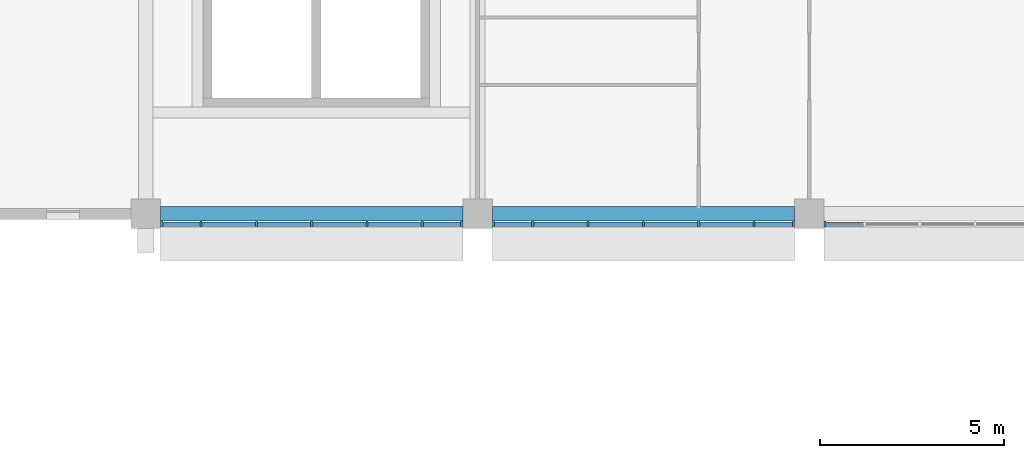
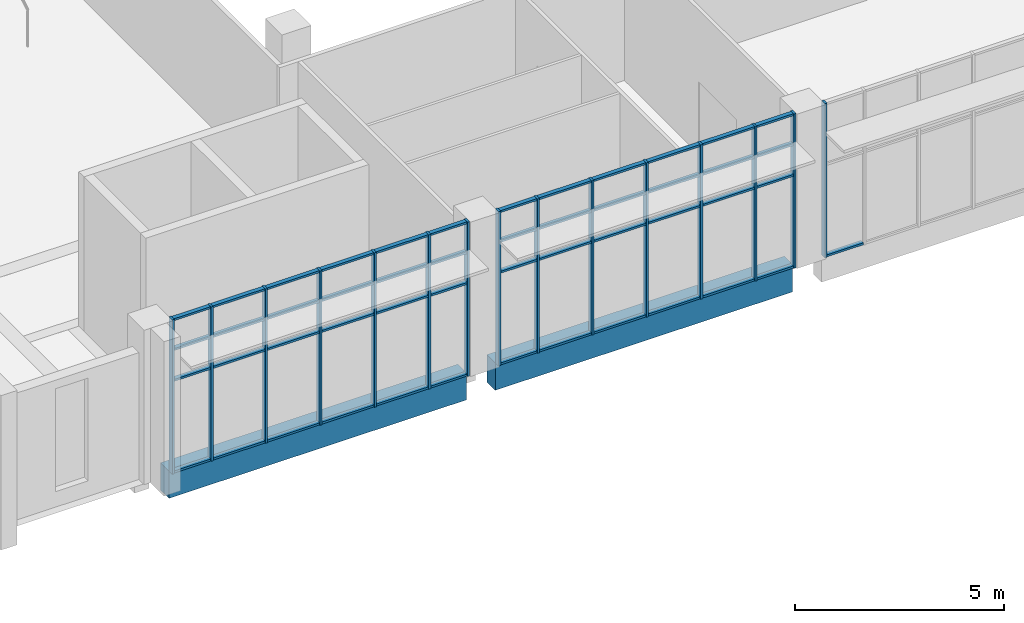
# One storey, part 2 of 79: 64 members, 2 beams, 3 elements without a shape of their own.
"""IFC4 building model written with IfcOpenShell, lengths in metres."""

from ifc_helpers import new_model, si_unit, direction, frame, origin, origin_2d, place, context, subcontext, project, spatial, rectangle, extrude, material, layer, layer_set, material_profile, profile_set, type_object, element, aggregate, save


model = new_model("IFC4")

# Units and contexts
model_context = context("Model", 3, precision=1e-05, world=origin(), true_north=direction((0.0, 1.0)))
body_context = subcontext(model_context, "Body", "Model", "MODEL_VIEW")
ifc_project = project(units=[si_unit("LENGTHUNIT", "METRE"), si_unit("AREAUNIT", "SQUARE_METRE"), si_unit("VOLUMEUNIT", "CUBIC_METRE"), si_unit("PLANEANGLEUNIT", "RADIAN"), si_unit("MASSUNIT", "GRAM", prefix="KILO")], contexts=[model_context])

# Site, building, storey
site_placement = place(None, origin())
site = spatial("IfcSite", under=ifc_project, at=site_placement, CompositionType="ELEMENT")
building_placement = place(site_placement, origin())
building = spatial("IfcBuilding", under=site, at=building_placement, Name="Guidao Yard Department Store", CompositionType="ELEMENT")
storey_placement = place(building_placement, frame((0.0, 0.0, 15.0)))
storey = spatial("IfcBuildingStorey", under=building, at=storey_placement, Name="L03", CompositionType="ELEMENT", Elevation=15.0)

# Curtain wall, members
ifc_material_1 = material(Name="Aluminium and glass", Category="aluminium")
ifc_layer = layer(ifc_material_1, 0.159912109375)
ifc_layer_set = layer_set([ifc_layer], Name="Hall front curtain wall CW2 1500 module")
curtain_wall_type = type_object("IfcCurtainWallType", Name="Hall front curtain wall CW2 1500 module", PredefinedType="NOTDEFINED", material=ifc_layer_set)
curtain_wall_1_placement = place(storey_placement, origin())
curtain_wall_1 = element("IfcCurtainWall", 1, at=curtain_wall_1_placement, inside=storey, type_object=curtain_wall_type, Name="Hall front curtain wall", PredefinedType="NOTDEFINED")
ifc_material_2 = material(Name="Aluminium 6063-T5", Category="aluminium")
ifc_material_profile_1 = material_profile(ifc_material_2, rectangle(XDim=0.06005859375, YDim=0.159912109375, at=origin_2d()), Name="Mullion M1 60 x 160 aluminium pressure plate")
ifc_profile_set_1 = profile_set([ifc_material_profile_1], Name="Aluminium 6063-T5")
member_type_1 = type_object("IfcMemberType", Name="Mullion M1 60 x 160 aluminium pressure plate", PredefinedType="MULLION", material=ifc_profile_set_1)
member_1_placement = place(storey_placement, frame((9.429931640625, 44.719970703125, 0.0), z_axis=(0.0, 0.0, 1.0), x_axis=(-1.0, 0.0, 0.0)))
member_1 = element("IfcMember", 2, at=member_1_placement, type_object=member_type_1, Name="CW-HF-L03-01 mullion 1", PredefinedType="MULLION", context=body_context, shape_type="SweptSolid", body=[
    extrude(rectangle(XDim=0.06005859375, YDim=0.159912109375, at=origin_2d()), origin(), (0.0, 0.0, 1.0), 4.5),
])
member_2_placement = place(storey_placement, frame((10.5, 44.719970703125, 0.0), z_axis=(0.0, 0.0, 1.0), x_axis=(-1.0, 0.0, 0.0)))
member_2 = element("IfcMember", 3, at=member_2_placement, type_object=member_type_1, Name="CW-HF-L03-01 mullion 2", PredefinedType="MULLION", context=body_context, shape_type="SweptSolid", body=[
    extrude(rectangle(XDim=0.06005859375, YDim=0.159912109375, at=origin_2d()), origin(), (0.0, 0.0, 1.0), 4.5),
])
member_3_placement = place(storey_placement, frame((12.0, 44.719970703125, 0.0), z_axis=(0.0, 0.0, 1.0), x_axis=(-1.0, 0.0, 0.0)))
member_3 = element("IfcMember", 4, at=member_3_placement, type_object=member_type_1, Name="CW-HF-L03-01 mullion 3", PredefinedType="MULLION", context=body_context, shape_type="SweptSolid", body=[
    extrude(rectangle(XDim=0.06005859375, YDim=0.159912109375, at=origin_2d()), origin(), (0.0, 0.0, 1.0), 4.5),
])
member_4_placement = place(storey_placement, frame((13.5, 44.719970703125, 0.0), z_axis=(0.0, 0.0, 1.0), x_axis=(-1.0, 0.0, 0.0)))
member_4 = element("IfcMember", 5, at=member_4_placement, type_object=member_type_1, Name="CW-HF-L03-01 mullion 4", PredefinedType="MULLION", context=body_context, shape_type="SweptSolid", body=[
    extrude(rectangle(XDim=0.06005859375, YDim=0.159912109375, at=origin_2d()), origin(), (0.0, 0.0, 1.0), 4.5),
])
member_5_placement = place(storey_placement, frame((15.0, 44.719970703125, 0.0), z_axis=(0.0, 0.0, 1.0), x_axis=(-1.0, 0.0, 0.0)))
member_5 = element("IfcMember", 6, at=member_5_placement, type_object=member_type_1, Name="CW-HF-L03-01 mullion 5", PredefinedType="MULLION", context=body_context, shape_type="SweptSolid", body=[
    extrude(rectangle(XDim=0.06005859375, YDim=0.159912109375, at=origin_2d()), origin(), (0.0, 0.0, 1.0), 4.5),
])
member_6_placement = place(storey_placement, frame((16.5, 44.719970703125, 0.0), z_axis=(0.0, 0.0, 1.0), x_axis=(-1.0, 0.0, 0.0)))
member_6 = element("IfcMember", 7, at=member_6_placement, type_object=member_type_1, Name="CW-HF-L03-01 mullion 6", PredefinedType="MULLION", context=body_context, shape_type="SweptSolid", body=[
    extrude(rectangle(XDim=0.06005859375, YDim=0.159912109375, at=origin_2d()), origin(), (0.0, 0.0, 1.0), 4.5),
])
member_7_placement = place(storey_placement, frame((17.570068359375, 44.719970703125, 0.0), z_axis=(0.0, 0.0, 1.0), x_axis=(-1.0, 0.0, 0.0)))
member_7 = element("IfcMember", 8, at=member_7_placement, type_object=member_type_1, Name="CW-HF-L03-01 mullion 7", PredefinedType="MULLION", context=body_context, shape_type="SweptSolid", body=[
    extrude(rectangle(XDim=0.06005859375, YDim=0.159912109375, at=origin_2d()), origin(), (0.0, 0.0, 1.0), 4.5),
])

curtain_wall_2_placement = place(storey_placement, origin())
curtain_wall_2 = element("IfcCurtainWall", 9, at=curtain_wall_2_placement, inside=storey, type_object=curtain_wall_type, Name="Hall front curtain wall", PredefinedType="NOTDEFINED")
member_8_placement = place(storey_placement, frame((18.429931640625, 44.719970703125, 0.0), z_axis=(0.0, 0.0, 1.0), x_axis=(-1.0, 0.0, 0.0)))
member_8 = element("IfcMember", 10, at=member_8_placement, type_object=member_type_1, Name="CW-HF-L03-02 mullion 1", PredefinedType="MULLION", context=body_context, shape_type="SweptSolid", body=[
    extrude(rectangle(XDim=0.06005859375, YDim=0.159912109375, at=origin_2d()), origin(), (0.0, 0.0, 1.0), 4.5),
])
member_9_placement = place(storey_placement, frame((19.5, 44.719970703125, 0.0), z_axis=(0.0, 0.0, 1.0), x_axis=(-1.0, 0.0, 0.0)))
member_9 = element("IfcMember", 11, at=member_9_placement, type_object=member_type_1, Name="CW-HF-L03-02 mullion 2", PredefinedType="MULLION", context=body_context, shape_type="SweptSolid", body=[
    extrude(rectangle(XDim=0.06005859375, YDim=0.159912109375, at=origin_2d()), origin(), (0.0, 0.0, 1.0), 4.5),
])
member_10_placement = place(storey_placement, frame((21.0, 44.719970703125, 0.0), z_axis=(0.0, 0.0, 1.0), x_axis=(-1.0, 0.0, 0.0)))
member_10 = element("IfcMember", 12, at=member_10_placement, type_object=member_type_1, Name="CW-HF-L03-02 mullion 3", PredefinedType="MULLION", context=body_context, shape_type="SweptSolid", body=[
    extrude(rectangle(XDim=0.06005859375, YDim=0.159912109375, at=origin_2d()), origin(), (0.0, 0.0, 1.0), 4.5),
])
member_11_placement = place(storey_placement, frame((22.5, 44.719970703125, 0.0), z_axis=(0.0, 0.0, 1.0), x_axis=(-1.0, 0.0, 0.0)))
member_11 = element("IfcMember", 13, at=member_11_placement, type_object=member_type_1, Name="CW-HF-L03-02 mullion 4", PredefinedType="MULLION", context=body_context, shape_type="SweptSolid", body=[
    extrude(rectangle(XDim=0.06005859375, YDim=0.159912109375, at=origin_2d()), origin(), (0.0, 0.0, 1.0), 4.5),
])
member_12_placement = place(storey_placement, frame((24.0, 44.719970703125, 0.0), z_axis=(0.0, 0.0, 1.0), x_axis=(-1.0, 0.0, 0.0)))
member_12 = element("IfcMember", 14, at=member_12_placement, type_object=member_type_1, Name="CW-HF-L03-02 mullion 5", PredefinedType="MULLION", context=body_context, shape_type="SweptSolid", body=[
    extrude(rectangle(XDim=0.06005859375, YDim=0.159912109375, at=origin_2d()), origin(), (0.0, 0.0, 1.0), 4.5),
])
member_13_placement = place(storey_placement, frame((25.5, 44.719970703125, 0.0), z_axis=(0.0, 0.0, 1.0), x_axis=(-1.0, 0.0, 0.0)))
member_13 = element("IfcMember", 15, at=member_13_placement, type_object=member_type_1, Name="CW-HF-L03-02 mullion 6", PredefinedType="MULLION", context=body_context, shape_type="SweptSolid", body=[
    extrude(rectangle(XDim=0.06005859375, YDim=0.159912109375, at=origin_2d()), origin(), (0.0, 0.0, 1.0), 4.5),
])
member_14_placement = place(storey_placement, frame((26.570068359375, 44.719970703125, 0.0), z_axis=(0.0, 0.0, 1.0), x_axis=(-1.0, 0.0, 0.0)))
member_14 = element("IfcMember", 16, at=member_14_placement, type_object=member_type_1, Name="CW-HF-L03-02 mullion 7", PredefinedType="MULLION", context=body_context, shape_type="SweptSolid", body=[
    extrude(rectangle(XDim=0.06005859375, YDim=0.159912109375, at=origin_2d()), origin(), (0.0, 0.0, 1.0), 4.5),
])

# Curtain wall, member
curtain_wall_3_placement = place(storey_placement, origin())
curtain_wall_3 = element("IfcCurtainWall", 17, at=curtain_wall_3_placement, inside=storey, type_object=curtain_wall_type, Name="Hall front curtain wall", PredefinedType="NOTDEFINED")
member_15_placement = place(storey_placement, frame((27.429931640625, 44.719970703125, 0.0), z_axis=(0.0, 0.0, 1.0), x_axis=(-1.0, 0.0, 0.0)))
member_15 = element("IfcMember", 18, at=member_15_placement, type_object=member_type_1, Name="CW-HF-L03-03 mullion 1", PredefinedType="MULLION", context=body_context, shape_type="SweptSolid", body=[
    extrude(rectangle(XDim=0.06005859375, YDim=0.159912109375, at=origin_2d()), origin(), (0.0, 0.0, 1.0), 4.5),
])

# Beams
ifc_material_3 = material(Name="Concrete C40", Category="concrete")
ifc_material_profile_2 = material_profile(ifc_material_3, rectangle(XDim=0.39990234375, YDim=0.800048828125, at=origin_2d()), Name="Spandrel beam 400 x 800 C40")
ifc_profile_set_2 = profile_set([ifc_material_profile_2], Name="Concrete C40")
beam_type = type_object("IfcBeamType", Name="Spandrel beam 400 x 800 C40", PredefinedType="SPANDREL", material=ifc_profile_set_2)
for number, where, z_axis, x_axis, name in (
    (19, (9.39990234375, 45.0, -0.39990234375), (1.0, 0.0, 0.0), (0.0, 1.0, 0.0), "Beam EB01"),
    (20, (18.39990234375, 45.0, -0.39990234375), (1.0, 0.0, 0.0), (0.0, 1.0, 0.0), "Beam EB02"),
):
    element("IfcBeam", number, at=place(storey_placement, frame(where, z_axis=z_axis, x_axis=x_axis)), inside=storey, type_object=beam_type, Name=name, PredefinedType="SPANDREL", context=body_context, shape_type="SweptSolid", body=[
        extrude(rectangle(XDim=0.39990234375, YDim=0.800048828125, at=origin_2d()), origin(), (0.0, 0.0, 1.0), 8.2001953125),
    ])

# Member
ifc_material_4 = material(Name="Aluminium 6063-T5", Category="aluminium")
ifc_material_profile_3 = material_profile(ifc_material_4, rectangle(XDim=0.1201171875, YDim=0.06005859375, at=origin_2d()), Name="Transom T1 60 x 120 aluminium pressure plate")
ifc_profile_set_3 = profile_set([ifc_material_profile_3], Name="Aluminium 6063-T5")
member_type_2 = type_object("IfcMemberType", Name="Transom T1 60 x 120 aluminium pressure plate", PredefinedType="USERDEFINED", material=ifc_profile_set_3)
member_16_placement = place(storey_placement, frame((10.469970703125, 44.719970703125, 0.030029296875), z_axis=(-1.0, 0.0, 0.0), x_axis=(0.0, -1.0, 0.0)))
member_16 = element("IfcMember", 21, at=member_16_placement, type_object=member_type_2, Name="CW-HF-L03-01 transom 1.1", ObjectType="TRANSOM", PredefinedType="USERDEFINED", context=body_context, shape_type="SweptSolid", body=[
    extrude(rectangle(XDim=0.1201171875, YDim=0.06005859375, at=origin_2d()), origin(), (0.0, 0.0, 1.0), 1.010009765625),
])

member_17_placement = place(storey_placement, frame((10.469970703125, 44.719970703125, 2.699951171875), z_axis=(-1.0, 0.0, 0.0), x_axis=(0.0, -1.0, 0.0)))
member_17 = element("IfcMember", 22, at=member_17_placement, type_object=member_type_2, Name="CW-HF-L03-01 transom 1.2", ObjectType="TRANSOM", PredefinedType="USERDEFINED", context=body_context, shape_type="SweptSolid", body=[
    extrude(rectangle(XDim=0.1201171875, YDim=0.06005859375, at=origin_2d()), origin(), (0.0, 0.0, 1.0), 1.010009765625),
])

member_18_placement = place(storey_placement, frame((10.469970703125, 44.719970703125, 3.60009765625), z_axis=(-1.0, 0.0, 0.0), x_axis=(0.0, -1.0, 0.0)))
member_18 = element("IfcMember", 23, at=member_18_placement, type_object=member_type_2, Name="CW-HF-L03-01 transom 1.3", ObjectType="TRANSOM", PredefinedType="USERDEFINED", context=body_context, shape_type="SweptSolid", body=[
    extrude(rectangle(XDim=0.1201171875, YDim=0.06005859375, at=origin_2d()), origin(), (0.0, 0.0, 1.0), 1.010009765625),
])

member_19_placement = place(storey_placement, frame((10.469970703125, 44.719970703125, 4.469970703125), z_axis=(-1.0, 0.0, 0.0), x_axis=(0.0, -1.0, 0.0)))
member_19 = element("IfcMember", 24, at=member_19_placement, type_object=member_type_2, Name="CW-HF-L03-01 transom 1.4", ObjectType="TRANSOM", PredefinedType="USERDEFINED", context=body_context, shape_type="SweptSolid", body=[
    extrude(rectangle(XDim=0.1201171875, YDim=0.06005859375, at=origin_2d()), origin(), (0.0, 0.0, 1.0), 1.010009765625),
])

member_20_placement = place(storey_placement, frame((11.969970703125, 44.719970703125, 0.030029296875), z_axis=(-1.0, 0.0, 0.0), x_axis=(0.0, -1.0, 0.0)))
member_20 = element("IfcMember", 25, at=member_20_placement, type_object=member_type_2, Name="CW-HF-L03-01 transom 2.1", ObjectType="TRANSOM", PredefinedType="USERDEFINED", context=body_context, shape_type="SweptSolid", body=[
    extrude(rectangle(XDim=0.1201171875, YDim=0.06005859375, at=origin_2d()), origin(), (0.0, 0.0, 1.0), 1.43994140625),
])

member_21_placement = place(storey_placement, frame((11.969970703125, 44.719970703125, 2.699951171875), z_axis=(-1.0, 0.0, 0.0), x_axis=(0.0, -1.0, 0.0)))
member_21 = element("IfcMember", 26, at=member_21_placement, type_object=member_type_2, Name="CW-HF-L03-01 transom 2.2", ObjectType="TRANSOM", PredefinedType="USERDEFINED", context=body_context, shape_type="SweptSolid", body=[
    extrude(rectangle(XDim=0.1201171875, YDim=0.06005859375, at=origin_2d()), origin(), (0.0, 0.0, 1.0), 1.43994140625),
])

member_22_placement = place(storey_placement, frame((11.969970703125, 44.719970703125, 3.60009765625), z_axis=(-1.0, 0.0, 0.0), x_axis=(0.0, -1.0, 0.0)))
member_22 = element("IfcMember", 27, at=member_22_placement, type_object=member_type_2, Name="CW-HF-L03-01 transom 2.3", ObjectType="TRANSOM", PredefinedType="USERDEFINED", context=body_context, shape_type="SweptSolid", body=[
    extrude(rectangle(XDim=0.1201171875, YDim=0.06005859375, at=origin_2d()), origin(), (0.0, 0.0, 1.0), 1.43994140625),
])

member_23_placement = place(storey_placement, frame((11.969970703125, 44.719970703125, 4.469970703125), z_axis=(-1.0, 0.0, 0.0), x_axis=(0.0, -1.0, 0.0)))
member_23 = element("IfcMember", 28, at=member_23_placement, type_object=member_type_2, Name="CW-HF-L03-01 transom 2.4", ObjectType="TRANSOM", PredefinedType="USERDEFINED", context=body_context, shape_type="SweptSolid", body=[
    extrude(rectangle(XDim=0.1201171875, YDim=0.06005859375, at=origin_2d()), origin(), (0.0, 0.0, 1.0), 1.43994140625),
])

member_24_placement = place(storey_placement, frame((13.469970703125, 44.719970703125, 0.030029296875), z_axis=(-1.0, 0.0, 0.0), x_axis=(0.0, -1.0, 0.0)))
member_24 = element("IfcMember", 29, at=member_24_placement, type_object=member_type_2, Name="CW-HF-L03-01 transom 3.1", ObjectType="TRANSOM", PredefinedType="USERDEFINED", context=body_context, shape_type="SweptSolid", body=[
    extrude(rectangle(XDim=0.1201171875, YDim=0.06005859375, at=origin_2d()), origin(), (0.0, 0.0, 1.0), 1.43994140625),
])

member_25_placement = place(storey_placement, frame((13.469970703125, 44.719970703125, 2.699951171875), z_axis=(-1.0, 0.0, 0.0), x_axis=(0.0, -1.0, 0.0)))
member_25 = element("IfcMember", 30, at=member_25_placement, type_object=member_type_2, Name="CW-HF-L03-01 transom 3.2", ObjectType="TRANSOM", PredefinedType="USERDEFINED", context=body_context, shape_type="SweptSolid", body=[
    extrude(rectangle(XDim=0.1201171875, YDim=0.06005859375, at=origin_2d()), origin(), (0.0, 0.0, 1.0), 1.43994140625),
])

member_26_placement = place(storey_placement, frame((13.469970703125, 44.719970703125, 3.60009765625), z_axis=(-1.0, 0.0, 0.0), x_axis=(0.0, -1.0, 0.0)))
member_26 = element("IfcMember", 31, at=member_26_placement, type_object=member_type_2, Name="CW-HF-L03-01 transom 3.3", ObjectType="TRANSOM", PredefinedType="USERDEFINED", context=body_context, shape_type="SweptSolid", body=[
    extrude(rectangle(XDim=0.1201171875, YDim=0.06005859375, at=origin_2d()), origin(), (0.0, 0.0, 1.0), 1.43994140625),
])

member_27_placement = place(storey_placement, frame((13.469970703125, 44.719970703125, 4.469970703125), z_axis=(-1.0, 0.0, 0.0), x_axis=(0.0, -1.0, 0.0)))
member_27 = element("IfcMember", 32, at=member_27_placement, type_object=member_type_2, Name="CW-HF-L03-01 transom 3.4", ObjectType="TRANSOM", PredefinedType="USERDEFINED", context=body_context, shape_type="SweptSolid", body=[
    extrude(rectangle(XDim=0.1201171875, YDim=0.06005859375, at=origin_2d()), origin(), (0.0, 0.0, 1.0), 1.43994140625),
])

member_28_placement = place(storey_placement, frame((14.969970703125, 44.719970703125, 0.030029296875), z_axis=(-1.0, 0.0, 0.0), x_axis=(0.0, -1.0, 0.0)))
member_28 = element("IfcMember", 33, at=member_28_placement, type_object=member_type_2, Name="CW-HF-L03-01 transom 4.1", ObjectType="TRANSOM", PredefinedType="USERDEFINED", context=body_context, shape_type="SweptSolid", body=[
    extrude(rectangle(XDim=0.1201171875, YDim=0.06005859375, at=origin_2d()), origin(), (0.0, 0.0, 1.0), 1.43994140625),
])

member_29_placement = place(storey_placement, frame((14.969970703125, 44.719970703125, 2.699951171875), z_axis=(-1.0, 0.0, 0.0), x_axis=(0.0, -1.0, 0.0)))
member_29 = element("IfcMember", 34, at=member_29_placement, type_object=member_type_2, Name="CW-HF-L03-01 transom 4.2", ObjectType="TRANSOM", PredefinedType="USERDEFINED", context=body_context, shape_type="SweptSolid", body=[
    extrude(rectangle(XDim=0.1201171875, YDim=0.06005859375, at=origin_2d()), origin(), (0.0, 0.0, 1.0), 1.43994140625),
])

member_30_placement = place(storey_placement, frame((14.969970703125, 44.719970703125, 3.60009765625), z_axis=(-1.0, 0.0, 0.0), x_axis=(0.0, -1.0, 0.0)))
member_30 = element("IfcMember", 35, at=member_30_placement, type_object=member_type_2, Name="CW-HF-L03-01 transom 4.3", ObjectType="TRANSOM", PredefinedType="USERDEFINED", context=body_context, shape_type="SweptSolid", body=[
    extrude(rectangle(XDim=0.1201171875, YDim=0.06005859375, at=origin_2d()), origin(), (0.0, 0.0, 1.0), 1.43994140625),
])

member_31_placement = place(storey_placement, frame((14.969970703125, 44.719970703125, 4.469970703125), z_axis=(-1.0, 0.0, 0.0), x_axis=(0.0, -1.0, 0.0)))
member_31 = element("IfcMember", 36, at=member_31_placement, type_object=member_type_2, Name="CW-HF-L03-01 transom 4.4", ObjectType="TRANSOM", PredefinedType="USERDEFINED", context=body_context, shape_type="SweptSolid", body=[
    extrude(rectangle(XDim=0.1201171875, YDim=0.06005859375, at=origin_2d()), origin(), (0.0, 0.0, 1.0), 1.43994140625),
])

member_32_placement = place(storey_placement, frame((16.469970703125, 44.719970703125, 0.030029296875), z_axis=(-1.0, 0.0, 0.0), x_axis=(0.0, -1.0, 0.0)))
member_32 = element("IfcMember", 37, at=member_32_placement, type_object=member_type_2, Name="CW-HF-L03-01 transom 5.1", ObjectType="TRANSOM", PredefinedType="USERDEFINED", context=body_context, shape_type="SweptSolid", body=[
    extrude(rectangle(XDim=0.1201171875, YDim=0.06005859375, at=origin_2d()), origin(), (0.0, 0.0, 1.0), 1.43994140625),
])

member_33_placement = place(storey_placement, frame((16.469970703125, 44.719970703125, 2.699951171875), z_axis=(-1.0, 0.0, 0.0), x_axis=(0.0, -1.0, 0.0)))
member_33 = element("IfcMember", 38, at=member_33_placement, type_object=member_type_2, Name="CW-HF-L03-01 transom 5.2", ObjectType="TRANSOM", PredefinedType="USERDEFINED", context=body_context, shape_type="SweptSolid", body=[
    extrude(rectangle(XDim=0.1201171875, YDim=0.06005859375, at=origin_2d()), origin(), (0.0, 0.0, 1.0), 1.43994140625),
])

member_34_placement = place(storey_placement, frame((16.469970703125, 44.719970703125, 3.60009765625), z_axis=(-1.0, 0.0, 0.0), x_axis=(0.0, -1.0, 0.0)))
member_34 = element("IfcMember", 39, at=member_34_placement, type_object=member_type_2, Name="CW-HF-L03-01 transom 5.3", ObjectType="TRANSOM", PredefinedType="USERDEFINED", context=body_context, shape_type="SweptSolid", body=[
    extrude(rectangle(XDim=0.1201171875, YDim=0.06005859375, at=origin_2d()), origin(), (0.0, 0.0, 1.0), 1.43994140625),
])

member_35_placement = place(storey_placement, frame((16.469970703125, 44.719970703125, 4.469970703125), z_axis=(-1.0, 0.0, 0.0), x_axis=(0.0, -1.0, 0.0)))
member_35 = element("IfcMember", 40, at=member_35_placement, type_object=member_type_2, Name="CW-HF-L03-01 transom 5.4", ObjectType="TRANSOM", PredefinedType="USERDEFINED", context=body_context, shape_type="SweptSolid", body=[
    extrude(rectangle(XDim=0.1201171875, YDim=0.06005859375, at=origin_2d()), origin(), (0.0, 0.0, 1.0), 1.43994140625),
])

member_36_placement = place(storey_placement, frame((17.5400390625, 44.719970703125, 0.030029296875), z_axis=(-1.0, 0.0, 0.0), x_axis=(0.0, -1.0, 0.0)))
member_36 = element("IfcMember", 41, at=member_36_placement, type_object=member_type_2, Name="CW-HF-L03-01 transom 6.1", ObjectType="TRANSOM", PredefinedType="USERDEFINED", context=body_context, shape_type="SweptSolid", body=[
    extrude(rectangle(XDim=0.1201171875, YDim=0.06005859375, at=origin_2d()), origin(), (0.0, 0.0, 1.0), 1.010009765625),
])

member_37_placement = place(storey_placement, frame((17.5400390625, 44.719970703125, 2.699951171875), z_axis=(-1.0, 0.0, 0.0), x_axis=(0.0, -1.0, 0.0)))
member_37 = element("IfcMember", 42, at=member_37_placement, type_object=member_type_2, Name="CW-HF-L03-01 transom 6.2", ObjectType="TRANSOM", PredefinedType="USERDEFINED", context=body_context, shape_type="SweptSolid", body=[
    extrude(rectangle(XDim=0.1201171875, YDim=0.06005859375, at=origin_2d()), origin(), (0.0, 0.0, 1.0), 1.010009765625),
])

member_38_placement = place(storey_placement, frame((17.5400390625, 44.719970703125, 3.60009765625), z_axis=(-1.0, 0.0, 0.0), x_axis=(0.0, -1.0, 0.0)))
member_38 = element("IfcMember", 43, at=member_38_placement, type_object=member_type_2, Name="CW-HF-L03-01 transom 6.3", ObjectType="TRANSOM", PredefinedType="USERDEFINED", context=body_context, shape_type="SweptSolid", body=[
    extrude(rectangle(XDim=0.1201171875, YDim=0.06005859375, at=origin_2d()), origin(), (0.0, 0.0, 1.0), 1.010009765625),
])

member_39_placement = place(storey_placement, frame((17.5400390625, 44.719970703125, 4.469970703125), z_axis=(-1.0, 0.0, 0.0), x_axis=(0.0, -1.0, 0.0)))
member_39 = element("IfcMember", 44, at=member_39_placement, type_object=member_type_2, Name="CW-HF-L03-01 transom 6.4", ObjectType="TRANSOM", PredefinedType="USERDEFINED", context=body_context, shape_type="SweptSolid", body=[
    extrude(rectangle(XDim=0.1201171875, YDim=0.06005859375, at=origin_2d()), origin(), (0.0, 0.0, 1.0), 1.010009765625),
])

aggregate(curtain_wall_1, [member_1, member_2, member_3, member_4, member_5, member_6, member_7, member_16, member_17, member_18, member_19, member_20, member_21, member_22, member_23, member_24, member_25, member_26, member_27, member_28, member_29, member_30, member_31, member_32, member_33, member_34, member_35, member_36, member_37, member_38, member_39])

member_40_placement = place(storey_placement, frame((19.469970703125, 44.719970703125, 0.030029296875), z_axis=(-1.0, 0.0, 0.0), x_axis=(0.0, -1.0, 0.0)))
member_40 = element("IfcMember", 45, at=member_40_placement, type_object=member_type_2, Name="CW-HF-L03-02 transom 1.1", ObjectType="TRANSOM", PredefinedType="USERDEFINED", context=body_context, shape_type="SweptSolid", body=[
    extrude(rectangle(XDim=0.1201171875, YDim=0.06005859375, at=origin_2d()), origin(), (0.0, 0.0, 1.0), 1.010009765625),
])

member_41_placement = place(storey_placement, frame((19.469970703125, 44.719970703125, 2.699951171875), z_axis=(-1.0, 0.0, 0.0), x_axis=(0.0, -1.0, 0.0)))
member_41 = element("IfcMember", 46, at=member_41_placement, type_object=member_type_2, Name="CW-HF-L03-02 transom 1.2", ObjectType="TRANSOM", PredefinedType="USERDEFINED", context=body_context, shape_type="SweptSolid", body=[
    extrude(rectangle(XDim=0.1201171875, YDim=0.06005859375, at=origin_2d()), origin(), (0.0, 0.0, 1.0), 1.010009765625),
])

member_42_placement = place(storey_placement, frame((19.469970703125, 44.719970703125, 3.60009765625), z_axis=(-1.0, 0.0, 0.0), x_axis=(0.0, -1.0, 0.0)))
member_42 = element("IfcMember", 47, at=member_42_placement, type_object=member_type_2, Name="CW-HF-L03-02 transom 1.3", ObjectType="TRANSOM", PredefinedType="USERDEFINED", context=body_context, shape_type="SweptSolid", body=[
    extrude(rectangle(XDim=0.1201171875, YDim=0.06005859375, at=origin_2d()), origin(), (0.0, 0.0, 1.0), 1.010009765625),
])

member_43_placement = place(storey_placement, frame((19.469970703125, 44.719970703125, 4.469970703125), z_axis=(-1.0, 0.0, 0.0), x_axis=(0.0, -1.0, 0.0)))
member_43 = element("IfcMember", 48, at=member_43_placement, type_object=member_type_2, Name="CW-HF-L03-02 transom 1.4", ObjectType="TRANSOM", PredefinedType="USERDEFINED", context=body_context, shape_type="SweptSolid", body=[
    extrude(rectangle(XDim=0.1201171875, YDim=0.06005859375, at=origin_2d()), origin(), (0.0, 0.0, 1.0), 1.010009765625),
])

member_44_placement = place(storey_placement, frame((20.969970703125, 44.719970703125, 0.030029296875), z_axis=(-1.0, 0.0, 0.0), x_axis=(0.0, -1.0, 0.0)))
member_44 = element("IfcMember", 49, at=member_44_placement, type_object=member_type_2, Name="CW-HF-L03-02 transom 2.1", ObjectType="TRANSOM", PredefinedType="USERDEFINED", context=body_context, shape_type="SweptSolid", body=[
    extrude(rectangle(XDim=0.1201171875, YDim=0.06005859375, at=origin_2d()), origin(), (0.0, 0.0, 1.0), 1.43994140625),
])

member_45_placement = place(storey_placement, frame((20.969970703125, 44.719970703125, 2.699951171875), z_axis=(-1.0, 0.0, 0.0), x_axis=(0.0, -1.0, 0.0)))
member_45 = element("IfcMember", 50, at=member_45_placement, type_object=member_type_2, Name="CW-HF-L03-02 transom 2.2", ObjectType="TRANSOM", PredefinedType="USERDEFINED", context=body_context, shape_type="SweptSolid", body=[
    extrude(rectangle(XDim=0.1201171875, YDim=0.06005859375, at=origin_2d()), origin(), (0.0, 0.0, 1.0), 1.43994140625),
])

member_46_placement = place(storey_placement, frame((20.969970703125, 44.719970703125, 3.60009765625), z_axis=(-1.0, 0.0, 0.0), x_axis=(0.0, -1.0, 0.0)))
member_46 = element("IfcMember", 51, at=member_46_placement, type_object=member_type_2, Name="CW-HF-L03-02 transom 2.3", ObjectType="TRANSOM", PredefinedType="USERDEFINED", context=body_context, shape_type="SweptSolid", body=[
    extrude(rectangle(XDim=0.1201171875, YDim=0.06005859375, at=origin_2d()), origin(), (0.0, 0.0, 1.0), 1.43994140625),
])

member_47_placement = place(storey_placement, frame((20.969970703125, 44.719970703125, 4.469970703125), z_axis=(-1.0, 0.0, 0.0), x_axis=(0.0, -1.0, 0.0)))
member_47 = element("IfcMember", 52, at=member_47_placement, type_object=member_type_2, Name="CW-HF-L03-02 transom 2.4", ObjectType="TRANSOM", PredefinedType="USERDEFINED", context=body_context, shape_type="SweptSolid", body=[
    extrude(rectangle(XDim=0.1201171875, YDim=0.06005859375, at=origin_2d()), origin(), (0.0, 0.0, 1.0), 1.43994140625),
])

member_48_placement = place(storey_placement, frame((22.469970703125, 44.719970703125, 0.030029296875), z_axis=(-1.0, 0.0, 0.0), x_axis=(0.0, -1.0, 0.0)))
member_48 = element("IfcMember", 53, at=member_48_placement, type_object=member_type_2, Name="CW-HF-L03-02 transom 3.1", ObjectType="TRANSOM", PredefinedType="USERDEFINED", context=body_context, shape_type="SweptSolid", body=[
    extrude(rectangle(XDim=0.1201171875, YDim=0.06005859375, at=origin_2d()), origin(), (0.0, 0.0, 1.0), 1.43994140625),
])

member_49_placement = place(storey_placement, frame((22.469970703125, 44.719970703125, 2.699951171875), z_axis=(-1.0, 0.0, 0.0), x_axis=(0.0, -1.0, 0.0)))
member_49 = element("IfcMember", 54, at=member_49_placement, type_object=member_type_2, Name="CW-HF-L03-02 transom 3.2", ObjectType="TRANSOM", PredefinedType="USERDEFINED", context=body_context, shape_type="SweptSolid", body=[
    extrude(rectangle(XDim=0.1201171875, YDim=0.06005859375, at=origin_2d()), origin(), (0.0, 0.0, 1.0), 1.43994140625),
])

member_50_placement = place(storey_placement, frame((22.469970703125, 44.719970703125, 3.60009765625), z_axis=(-1.0, 0.0, 0.0), x_axis=(0.0, -1.0, 0.0)))
member_50 = element("IfcMember", 55, at=member_50_placement, type_object=member_type_2, Name="CW-HF-L03-02 transom 3.3", ObjectType="TRANSOM", PredefinedType="USERDEFINED", context=body_context, shape_type="SweptSolid", body=[
    extrude(rectangle(XDim=0.1201171875, YDim=0.06005859375, at=origin_2d()), origin(), (0.0, 0.0, 1.0), 1.43994140625),
])

member_51_placement = place(storey_placement, frame((22.469970703125, 44.719970703125, 4.469970703125), z_axis=(-1.0, 0.0, 0.0), x_axis=(0.0, -1.0, 0.0)))
member_51 = element("IfcMember", 56, at=member_51_placement, type_object=member_type_2, Name="CW-HF-L03-02 transom 3.4", ObjectType="TRANSOM", PredefinedType="USERDEFINED", context=body_context, shape_type="SweptSolid", body=[
    extrude(rectangle(XDim=0.1201171875, YDim=0.06005859375, at=origin_2d()), origin(), (0.0, 0.0, 1.0), 1.43994140625),
])

member_52_placement = place(storey_placement, frame((23.969970703125, 44.719970703125, 0.030029296875), z_axis=(-1.0, 0.0, 0.0), x_axis=(0.0, -1.0, 0.0)))
member_52 = element("IfcMember", 57, at=member_52_placement, type_object=member_type_2, Name="CW-HF-L03-02 transom 4.1", ObjectType="TRANSOM", PredefinedType="USERDEFINED", context=body_context, shape_type="SweptSolid", body=[
    extrude(rectangle(XDim=0.1201171875, YDim=0.06005859375, at=origin_2d()), origin(), (0.0, 0.0, 1.0), 1.43994140625),
])

member_53_placement = place(storey_placement, frame((23.969970703125, 44.719970703125, 2.699951171875), z_axis=(-1.0, 0.0, 0.0), x_axis=(0.0, -1.0, 0.0)))
member_53 = element("IfcMember", 58, at=member_53_placement, type_object=member_type_2, Name="CW-HF-L03-02 transom 4.2", ObjectType="TRANSOM", PredefinedType="USERDEFINED", context=body_context, shape_type="SweptSolid", body=[
    extrude(rectangle(XDim=0.1201171875, YDim=0.06005859375, at=origin_2d()), origin(), (0.0, 0.0, 1.0), 1.43994140625),
])

member_54_placement = place(storey_placement, frame((23.969970703125, 44.719970703125, 3.60009765625), z_axis=(-1.0, 0.0, 0.0), x_axis=(0.0, -1.0, 0.0)))
member_54 = element("IfcMember", 59, at=member_54_placement, type_object=member_type_2, Name="CW-HF-L03-02 transom 4.3", ObjectType="TRANSOM", PredefinedType="USERDEFINED", context=body_context, shape_type="SweptSolid", body=[
    extrude(rectangle(XDim=0.1201171875, YDim=0.06005859375, at=origin_2d()), origin(), (0.0, 0.0, 1.0), 1.43994140625),
])

member_55_placement = place(storey_placement, frame((23.969970703125, 44.719970703125, 4.469970703125), z_axis=(-1.0, 0.0, 0.0), x_axis=(0.0, -1.0, 0.0)))
member_55 = element("IfcMember", 60, at=member_55_placement, type_object=member_type_2, Name="CW-HF-L03-02 transom 4.4", ObjectType="TRANSOM", PredefinedType="USERDEFINED", context=body_context, shape_type="SweptSolid", body=[
    extrude(rectangle(XDim=0.1201171875, YDim=0.06005859375, at=origin_2d()), origin(), (0.0, 0.0, 1.0), 1.43994140625),
])

member_56_placement = place(storey_placement, frame((25.469970703125, 44.719970703125, 0.030029296875), z_axis=(-1.0, 0.0, 0.0), x_axis=(0.0, -1.0, 0.0)))
member_56 = element("IfcMember", 61, at=member_56_placement, type_object=member_type_2, Name="CW-HF-L03-02 transom 5.1", ObjectType="TRANSOM", PredefinedType="USERDEFINED", context=body_context, shape_type="SweptSolid", body=[
    extrude(rectangle(XDim=0.1201171875, YDim=0.06005859375, at=origin_2d()), origin(), (0.0, 0.0, 1.0), 1.43994140625),
])

member_57_placement = place(storey_placement, frame((25.469970703125, 44.719970703125, 2.699951171875), z_axis=(-1.0, 0.0, 0.0), x_axis=(0.0, -1.0, 0.0)))
member_57 = element("IfcMember", 62, at=member_57_placement, type_object=member_type_2, Name="CW-HF-L03-02 transom 5.2", ObjectType="TRANSOM", PredefinedType="USERDEFINED", context=body_context, shape_type="SweptSolid", body=[
    extrude(rectangle(XDim=0.1201171875, YDim=0.06005859375, at=origin_2d()), origin(), (0.0, 0.0, 1.0), 1.43994140625),
])

member_58_placement = place(storey_placement, frame((25.469970703125, 44.719970703125, 3.60009765625), z_axis=(-1.0, 0.0, 0.0), x_axis=(0.0, -1.0, 0.0)))
member_58 = element("IfcMember", 63, at=member_58_placement, type_object=member_type_2, Name="CW-HF-L03-02 transom 5.3", ObjectType="TRANSOM", PredefinedType="USERDEFINED", context=body_context, shape_type="SweptSolid", body=[
    extrude(rectangle(XDim=0.1201171875, YDim=0.06005859375, at=origin_2d()), origin(), (0.0, 0.0, 1.0), 1.43994140625),
])

member_59_placement = place(storey_placement, frame((25.469970703125, 44.719970703125, 4.469970703125), z_axis=(-1.0, 0.0, 0.0), x_axis=(0.0, -1.0, 0.0)))
member_59 = element("IfcMember", 64, at=member_59_placement, type_object=member_type_2, Name="CW-HF-L03-02 transom 5.4", ObjectType="TRANSOM", PredefinedType="USERDEFINED", context=body_context, shape_type="SweptSolid", body=[
    extrude(rectangle(XDim=0.1201171875, YDim=0.06005859375, at=origin_2d()), origin(), (0.0, 0.0, 1.0), 1.43994140625),
])

member_60_placement = place(storey_placement, frame((26.5400390625, 44.719970703125, 0.030029296875), z_axis=(-1.0, 0.0, 0.0), x_axis=(0.0, -1.0, 0.0)))
member_60 = element("IfcMember", 65, at=member_60_placement, type_object=member_type_2, Name="CW-HF-L03-02 transom 6.1", ObjectType="TRANSOM", PredefinedType="USERDEFINED", context=body_context, shape_type="SweptSolid", body=[
    extrude(rectangle(XDim=0.1201171875, YDim=0.06005859375, at=origin_2d()), origin(), (0.0, 0.0, 1.0), 1.010009765625),
])

member_61_placement = place(storey_placement, frame((26.5400390625, 44.719970703125, 2.699951171875), z_axis=(-1.0, 0.0, 0.0), x_axis=(0.0, -1.0, 0.0)))
member_61 = element("IfcMember", 66, at=member_61_placement, type_object=member_type_2, Name="CW-HF-L03-02 transom 6.2", ObjectType="TRANSOM", PredefinedType="USERDEFINED", context=body_context, shape_type="SweptSolid", body=[
    extrude(rectangle(XDim=0.1201171875, YDim=0.06005859375, at=origin_2d()), origin(), (0.0, 0.0, 1.0), 1.010009765625),
])

member_62_placement = place(storey_placement, frame((26.5400390625, 44.719970703125, 3.60009765625), z_axis=(-1.0, 0.0, 0.0), x_axis=(0.0, -1.0, 0.0)))
member_62 = element("IfcMember", 67, at=member_62_placement, type_object=member_type_2, Name="CW-HF-L03-02 transom 6.3", ObjectType="TRANSOM", PredefinedType="USERDEFINED", context=body_context, shape_type="SweptSolid", body=[
    extrude(rectangle(XDim=0.1201171875, YDim=0.06005859375, at=origin_2d()), origin(), (0.0, 0.0, 1.0), 1.010009765625),
])

member_63_placement = place(storey_placement, frame((26.5400390625, 44.719970703125, 4.469970703125), z_axis=(-1.0, 0.0, 0.0), x_axis=(0.0, -1.0, 0.0)))
member_63 = element("IfcMember", 68, at=member_63_placement, type_object=member_type_2, Name="CW-HF-L03-02 transom 6.4", ObjectType="TRANSOM", PredefinedType="USERDEFINED", context=body_context, shape_type="SweptSolid", body=[
    extrude(rectangle(XDim=0.1201171875, YDim=0.06005859375, at=origin_2d()), origin(), (0.0, 0.0, 1.0), 1.010009765625),
])

aggregate(curtain_wall_2, [member_8, member_9, member_10, member_11, member_12, member_13, member_14, member_40, member_41, member_42, member_43, member_44, member_45, member_46, member_47, member_48, member_49, member_50, member_51, member_52, member_53, member_54, member_55, member_56, member_57, member_58, member_59, member_60, member_61, member_62, member_63])

member_64_placement = place(storey_placement, frame((28.469970703125, 44.719970703125, 0.030029296875), z_axis=(-1.0, 0.0, 0.0), x_axis=(0.0, -1.0, 0.0)))
member_64 = element("IfcMember", 69, at=member_64_placement, type_object=member_type_2, Name="CW-HF-L03-03 transom 1.1", ObjectType="TRANSOM", PredefinedType="USERDEFINED", context=body_context, shape_type="SweptSolid", body=[
    extrude(rectangle(XDim=0.1201171875, YDim=0.06005859375, at=origin_2d()), origin(), (0.0, 0.0, 1.0), 1.010009765625),
])

aggregate(curtain_wall_3, [member_15, member_64])

save(model, "model.ifc")
